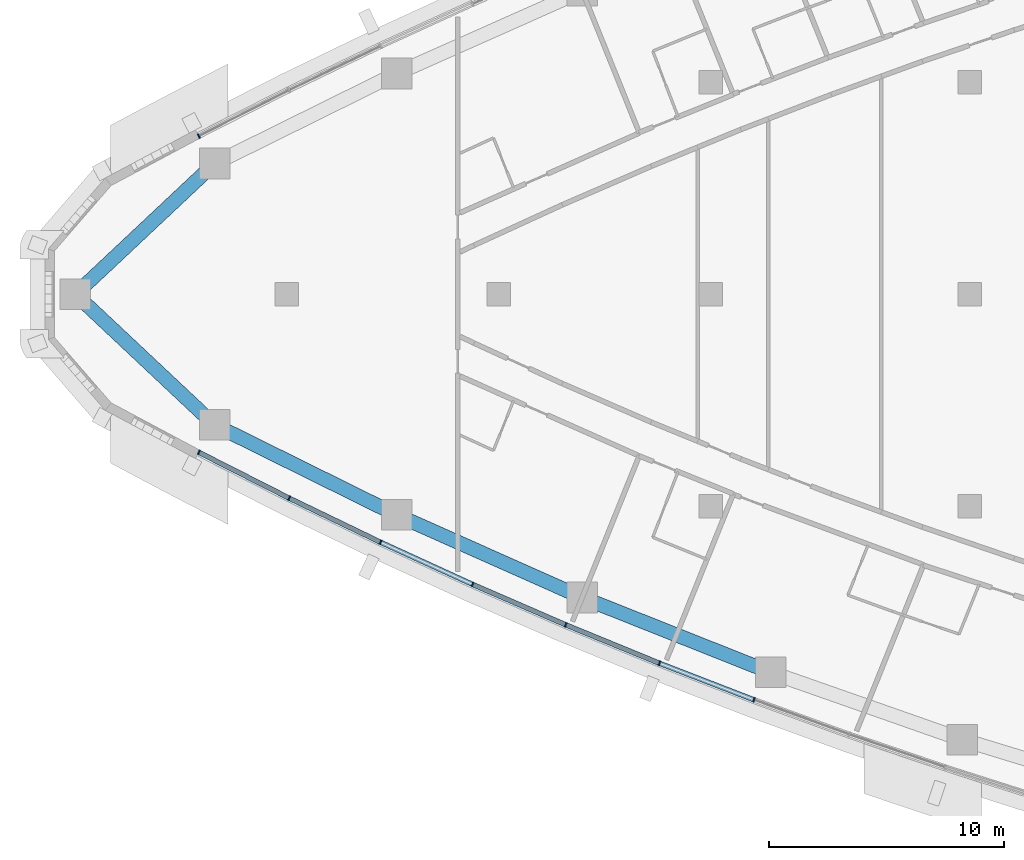
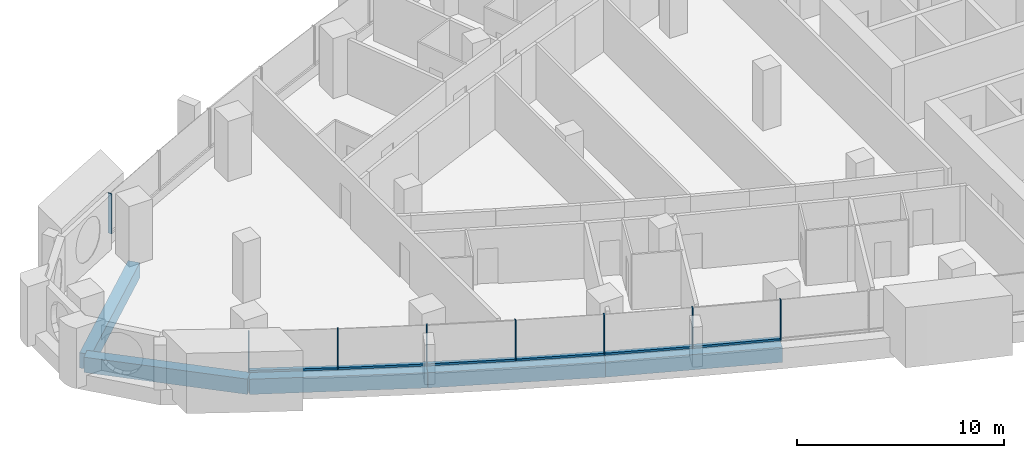
# One storey, part 2 of 17: 14 members, 5 beams, 4 elements without a shape of their own.
"""IFC4 building model written with IfcOpenShell, lengths in metres."""

from ifc_helpers import new_model, si_unit, direction, frame, origin, origin_2d, place, context, subcontext, project, spatial, rectangle, extrude, material, layer, layer_set, material_profile, profile_set, type_object, element, aggregate, save


model = new_model("IFC4")

# Units and contexts
model_context = context("Model", 3, precision=1e-05, world=origin(), true_north=direction((0.0, 1.0)))
body_context = subcontext(model_context, "Body", "Model", "MODEL_VIEW")
ifc_project = project(units=[si_unit("LENGTHUNIT", "METRE"), si_unit("AREAUNIT", "SQUARE_METRE"), si_unit("VOLUMEUNIT", "CUBIC_METRE"), si_unit("PLANEANGLEUNIT", "RADIAN"), si_unit("MASSUNIT", "GRAM", prefix="KILO")], contexts=[model_context])

# Site, building, storey
site_placement = place(None, origin())
site = spatial("IfcSite", under=ifc_project, at=site_placement, CompositionType="ELEMENT")
building_placement = place(site_placement, origin())
building = spatial("IfcBuilding", under=site, at=building_placement, Name="Ostrand Prow Hotel Tower", CompositionType="ELEMENT")
storey_placement = place(building_placement, frame((0.0, 0.0, 203.89990234375)))
storey = spatial("IfcBuildingStorey", under=building, at=storey_placement, Name="L51", CompositionType="ELEMENT", Elevation=203.89990234375)

# Beams
ifc_material_1 = material(Name="Concrete C60/75", Category="concrete")
ifc_material_profile_1 = material_profile(ifc_material_1, rectangle(XDim=0.60009765625, YDim=0.89990234375, at=origin_2d()), Name="RC 600x900")
ifc_profile_set_1 = profile_set([ifc_material_profile_1], Name="Concrete C60/75")
beam_type = type_object("IfcBeamType", Name="Edge beam 600x900 C60/75", PredefinedType="SPANDREL", material=ifc_profile_set_1)
beam_1_placement = place(storey_placement, frame((7.01708984375, 0.0, -0.75), z_axis=(0.728960507808, -0.684555752336, 0.0), x_axis=(0.684555752336, 0.728960507808, 0.0)))
element("IfcBeam", 1, at=beam_1_placement, inside=storey, type_object=beam_type, Name="Edge beam P-S1", PredefinedType="SPANDREL", context=body_context, shape_type="SweptSolid", body=[
    extrude(rectangle(XDim=0.60009765625, YDim=0.89990234375, at=origin_2d()), origin(), (0.0, 0.0, 1.0), 8.109619140625),
])
beam_2_placement = place(storey_placement, frame((12.9287109375, -5.551513671875, -0.75), z_axis=(0.896383774903, -0.443278837856, 0.0), x_axis=(0.443278837856, 0.896383774903, 0.0)))
element("IfcBeam", 2, at=beam_2_placement, inside=storey, type_object=beam_type, Name="Edge beam S1-S2", PredefinedType="SPANDREL", context=body_context, shape_type="SweptSolid", body=[
    extrude(rectangle(XDim=0.60009765625, YDim=0.89990234375, at=origin_2d()), origin(), (0.0, 0.0, 1.0), 8.62158203125),
])
for number, where, z_axis, x_axis, name in (
    (3, (20.656982421875, -9.373291015625, -0.75), (0.91364332073, -0.406516767779, 0.0), (0.406516767779, 0.91364332073, 0.0), "Edge beam S2-S3"),
    (4, (28.5341796875, -12.878173828125, -0.75), (0.929376173753, -0.36913402398, 0.0), (0.36913402398, 0.929376173753, 0.0), "Edge beam S3-S4"),
):
    element("IfcBeam", number, at=place(storey_placement, frame(where, z_axis=z_axis, x_axis=x_axis)), inside=storey, type_object=beam_type, Name=name, PredefinedType="SPANDREL", context=body_context, shape_type="SweptSolid", body=[
        extrude(rectangle(XDim=0.60009765625, YDim=0.89990234375, at=origin_2d()), origin(), (0.0, 0.0, 1.0), 8.621826171875),
    ])
beam_3_placement = place(storey_placement, frame((12.9287109375, 5.551513671875, -0.75), z_axis=(-0.728960507808, -0.684555752336, 0.0), x_axis=(0.684555752336, -0.728960507808, 0.0)))
element("IfcBeam", 5, at=beam_3_placement, inside=storey, type_object=beam_type, Name="Edge beam N6-P", PredefinedType="SPANDREL", context=body_context, shape_type="SweptSolid", body=[
    extrude(rectangle(XDim=0.60009765625, YDim=0.89990234375, at=origin_2d()), origin(), (0.0, 0.0, 1.0), 8.109619140625),
])

# Curtain wall, members
ifc_material_2 = material(Name="Insulated glass in bronze anodised frame", Category="glass")
ifc_layer = layer(ifc_material_2, 0.199951171875)
ifc_layer_set = layer_set([ifc_layer], Name="Insulated glass in bronze anodised frame")
curtain_wall_type = type_object("IfcCurtainWallType", Name="Strip curtain wall, fritted glass over bronze spandrel", PredefinedType="NOTDEFINED", material=ifc_layer_set)
curtain_wall_1_placement = place(storey_placement, origin())
curtain_wall_1 = element("IfcCurtainWall", 6, at=curtain_wall_1_placement, inside=storey, type_object=curtain_wall_type, Name="CW1 run CWS1", PredefinedType="NOTDEFINED")
ifc_material_3 = material(Name="Bronze anodised aluminium", Category="aluminium")
ifc_material_profile_2 = material_profile(ifc_material_3, rectangle(XDim=0.199951171875, YDim=0.06005859375, at=origin_2d()), Name="Mullion 60x200 bronze anodised aluminium")
ifc_profile_set_2 = profile_set([ifc_material_profile_2], Name="Bronze anodised aluminium")
member_type_1 = type_object("IfcMemberType", Name="Mullion 60x200 bronze anodised aluminium", PredefinedType="MULLION", material=ifc_profile_set_2)
member_1_placement = place(storey_placement, frame((12.255859375, -6.71240234375, 0.900146484375), z_axis=(0.0, 0.0, 1.0), x_axis=(0.452658828186, 0.891683792196, 0.0)))
member_1 = element("IfcMember", 7, at=member_1_placement, type_object=member_type_1, Name="CW1 mullion 1", PredefinedType="MULLION", context=body_context, shape_type="SweptSolid", body=[
    extrude(rectangle(XDim=0.199951171875, YDim=0.06005859375, at=origin_2d()), origin(), (0.0, 0.0, 1.0), 2.349853515625),
])
member_2_placement = place(storey_placement, frame((16.0947265625, -8.660888671875, 0.900146484375), z_axis=(0.0, 0.0, 1.0), x_axis=(0.434615027304, 0.90061633232, 0.0)))
member_2 = element("IfcMember", 8, at=member_2_placement, type_object=member_type_1, Name="CW1 mullion 2", PredefinedType="MULLION", context=body_context, shape_type="SweptSolid", body=[
    extrude(rectangle(XDim=0.199951171875, YDim=0.06005859375, at=origin_2d()), origin(), (0.0, 0.0, 1.0), 2.349853515625),
])
member_3_placement = place(storey_placement, frame((19.971923828125, -10.531982421875, 0.900146484375), z_axis=(0.0, 0.0, 1.0), x_axis=(0.434615027304, 0.90061633232, 0.0)))
member_3 = element("IfcMember", 9, at=member_3_placement, type_object=member_type_1, Name="CW1 mullion 3", PredefinedType="MULLION", context=body_context, shape_type="SweptSolid", body=[
    extrude(rectangle(XDim=0.199951171875, YDim=0.06005859375, at=origin_2d()), origin(), (0.0, 0.0, 1.0), 2.349853515625),
])

curtain_wall_2_placement = place(storey_placement, origin())
curtain_wall_2 = element("IfcCurtainWall", 10, at=curtain_wall_2_placement, inside=storey, type_object=curtain_wall_type, Name="CW1 run CWS2", PredefinedType="NOTDEFINED")
member_4_placement = place(storey_placement, frame((23.885986328125, -12.32470703125, 0.900146484375), z_axis=(0.0, 0.0, 1.0), x_axis=(0.398004671812, 0.917383388347, 0.0)))
member_4 = element("IfcMember", 11, at=member_4_placement, type_object=member_type_1, Name="CW1 mullion 2", PredefinedType="MULLION", context=body_context, shape_type="SweptSolid", body=[
    extrude(rectangle(XDim=0.199951171875, YDim=0.06005859375, at=origin_2d()), origin(), (0.0, 0.0, 1.0), 2.349853515625),
])
member_5_placement = place(storey_placement, frame((27.83544921875, -14.0380859375, 0.900146484375), z_axis=(0.0, 0.0, 1.0), x_axis=(0.398004671812, 0.917383388347, 0.0)))
member_5 = element("IfcMember", 12, at=member_5_placement, type_object=member_type_1, Name="CW1 mullion 3", PredefinedType="MULLION", context=body_context, shape_type="SweptSolid", body=[
    extrude(rectangle(XDim=0.199951171875, YDim=0.06005859375, at=origin_2d()), origin(), (0.0, 0.0, 1.0), 2.349853515625),
])

curtain_wall_3_placement = place(storey_placement, origin())
curtain_wall_3 = element("IfcCurtainWall", 13, at=curtain_wall_3_placement, inside=storey, type_object=curtain_wall_type, Name="CW1 run CWS3", PredefinedType="NOTDEFINED")
member_6_placement = place(storey_placement, frame((31.818603515625, -15.671630859375, 0.900146484375), z_axis=(0.0, 0.0, 1.0), x_axis=(0.360748970732, 0.932662950972, 0.0)))
member_6 = element("IfcMember", 14, at=member_6_placement, type_object=member_type_1, Name="CW1 mullion 2", PredefinedType="MULLION", context=body_context, shape_type="SweptSolid", body=[
    extrude(rectangle(XDim=0.199951171875, YDim=0.06005859375, at=origin_2d()), origin(), (0.0, 0.0, 1.0), 2.349853515625),
])
member_7_placement = place(storey_placement, frame((35.833740234375, -17.224609375, 0.900146484375), z_axis=(0.0, 0.0, 1.0), x_axis=(0.360748970732, 0.932662950972, 0.0)))
member_7 = element("IfcMember", 15, at=member_7_placement, type_object=member_type_1, Name="CW1 mullion 3", PredefinedType="MULLION", context=body_context, shape_type="SweptSolid", body=[
    extrude(rectangle(XDim=0.199951171875, YDim=0.06005859375, at=origin_2d()), origin(), (0.0, 0.0, 1.0), 2.349853515625),
])

# Curtain wall, member
curtain_wall_4_placement = place(storey_placement, origin())
curtain_wall_4 = element("IfcCurtainWall", 16, at=curtain_wall_4_placement, inside=storey, type_object=curtain_wall_type, Name="CW1 run CWN5", PredefinedType="NOTDEFINED")
member_8_placement = place(storey_placement, frame((12.255859375, 6.71240234375, 0.900146484375), z_axis=(0.0, 0.0, 1.0), x_axis=(0.452658828186, -0.891683792196, 0.0)))
member_8 = element("IfcMember", 17, at=member_8_placement, type_object=member_type_1, Name="CW1 mullion 3", PredefinedType="MULLION", context=body_context, shape_type="SweptSolid", body=[
    extrude(rectangle(XDim=0.199951171875, YDim=0.06005859375, at=origin_2d()), origin(), (0.0, 0.0, 1.0), 2.349853515625),
])
aggregate(curtain_wall_4, [member_8])

# Member
ifc_material_4 = material(Name="Bronze anodised aluminium", Category="aluminium")
ifc_material_profile_3 = material_profile(ifc_material_4, rectangle(XDim=0.199951171875, YDim=0.1201171875, at=origin_2d()), Name="Transom 120x200 bronze anodised aluminium")
ifc_profile_set_3 = profile_set([ifc_material_profile_3], Name="Bronze anodised aluminium")
member_type_2 = type_object("IfcMemberType", Name="Transom 120x200 bronze anodised aluminium", PredefinedType="USERDEFINED", material=ifc_profile_set_3)
member_9_placement = place(storey_placement, frame((12.28271484375, -6.725830078125, 0.960205078125), z_axis=(0.891672840777, -0.452680400526, 0.0), x_axis=(0.452680400526, 0.891672840777, 0.0)))
member_9 = element("IfcMember", 18, at=member_9_placement, type_object=member_type_2, Name="CW1 transom 1.1", ObjectType="TRANSOM", PredefinedType="USERDEFINED", context=body_context, shape_type="SweptSolid", body=[
    extrude(rectangle(XDim=0.199951171875, YDim=0.1201171875, at=origin_2d()), origin(), (0.0, 0.0, 1.0), 4.2451171875),
])

member_10_placement = place(storey_placement, frame((16.12158203125, -8.674072265625, 0.960205078125), z_axis=(0.900619174345, -0.434609137965, 0.0), x_axis=(0.434609137965, 0.900619174345, 0.0)))
member_10 = element("IfcMember", 19, at=member_10_placement, type_object=member_type_2, Name="CW1 transom 2.1", ObjectType="TRANSOM", PredefinedType="USERDEFINED", context=body_context, shape_type="SweptSolid", body=[
    extrude(rectangle(XDim=0.199951171875, YDim=0.1201171875, at=origin_2d()), origin(), (0.0, 0.0, 1.0), 4.2451171875),
])

aggregate(curtain_wall_1, [member_1, member_2, member_3, member_9, member_10])

member_11_placement = place(storey_placement, frame((19.999267578125, -10.54443359375, 0.960205078125), z_axis=(0.909159196143, -0.416448743628, 0.0), x_axis=(0.416448743628, 0.909159196143, 0.0)))
member_11 = element("IfcMember", 20, at=member_11_placement, type_object=member_type_2, Name="CW1 transom 1.1", ObjectType="TRANSOM", PredefinedType="USERDEFINED", context=body_context, shape_type="SweptSolid", body=[
    extrude(rectangle(XDim=0.199951171875, YDim=0.1201171875, at=origin_2d()), origin(), (0.0, 0.0, 1.0), 4.244873046875),
])

member_12_placement = place(storey_placement, frame((23.91357421875, -12.336669921875, 0.960205078125), z_axis=(0.917389785482, -0.397989926371, 0.0), x_axis=(0.397989926371, 0.917389785482, 0.0)))
member_12 = element("IfcMember", 21, at=member_12_placement, type_object=member_type_2, Name="CW1 transom 2.1", ObjectType="TRANSOM", PredefinedType="USERDEFINED", context=body_context, shape_type="SweptSolid", body=[
    extrude(rectangle(XDim=0.199951171875, YDim=0.1201171875, at=origin_2d()), origin(), (0.0, 0.0, 1.0), 4.244873046875),
])

aggregate(curtain_wall_2, [member_4, member_5, member_11, member_12])

member_13_placement = place(storey_placement, frame((27.863037109375, -14.049560546875, 0.960205078125), z_axis=(0.925213143858, -0.379447807258, 0.0), x_axis=(0.379447807258, 0.925213143858, 0.0)))
member_13 = element("IfcMember", 22, at=member_13_placement, type_object=member_type_2, Name="CW1 transom 1.1", ObjectType="TRANSOM", PredefinedType="USERDEFINED", context=body_context, shape_type="SweptSolid", body=[
    extrude(rectangle(XDim=0.199951171875, YDim=0.1201171875, at=origin_2d()), origin(), (0.0, 0.0, 1.0), 4.2451171875),
])

member_14_placement = place(storey_placement, frame((31.846435546875, -15.6826171875, 0.960205078125), z_axis=(0.932675482501, -0.360716570651, 0.0), x_axis=(0.360716570651, 0.932675482501, 0.0)))
member_14 = element("IfcMember", 23, at=member_14_placement, type_object=member_type_2, Name="CW1 transom 2.1", ObjectType="TRANSOM", PredefinedType="USERDEFINED", context=body_context, shape_type="SweptSolid", body=[
    extrude(rectangle(XDim=0.199951171875, YDim=0.1201171875, at=origin_2d()), origin(), (0.0, 0.0, 1.0), 4.2451171875),
])

aggregate(curtain_wall_3, [member_6, member_7, member_13, member_14])

save(model, "model.ifc")
